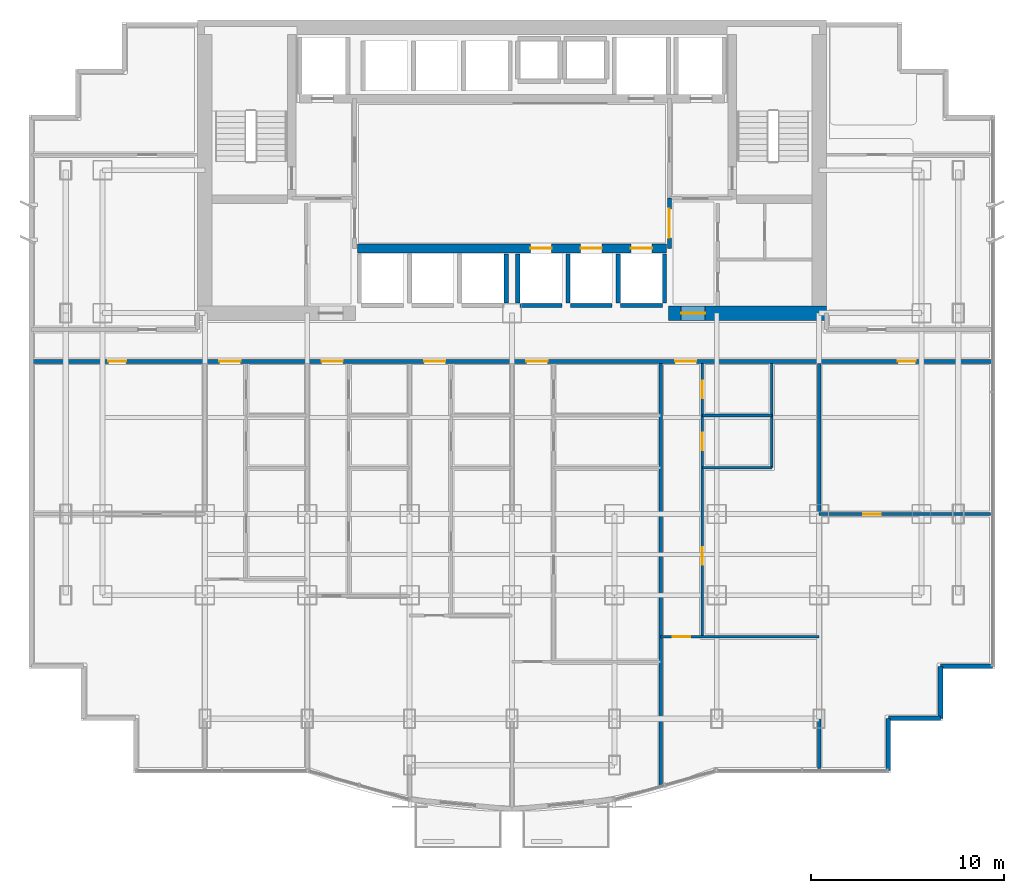
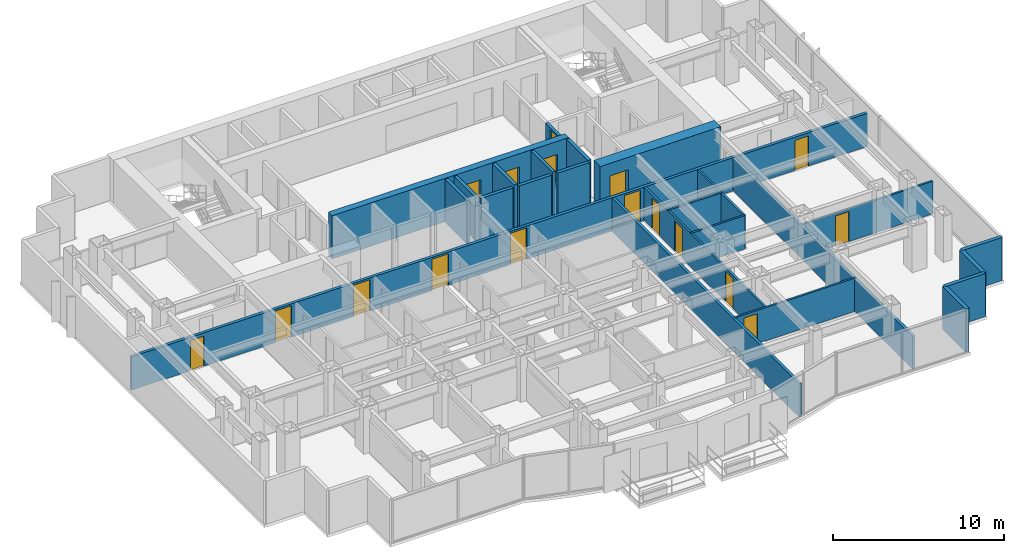
# One storey, part 8 of 12: 24 walls, 17 doors, 17 openings.
"""IFC4 building model written with IfcOpenShell, lengths in metres."""

from ifc_helpers import new_model, si_unit, direction, frame, frame_2d, origin, place, context, subcontext, project, spatial, rectangle, extrude, material, layer, layer_set, type_object, element, fill, save


model = new_model("IFC4")

# Units and contexts
model_context = context("Model", 3, precision=1e-05, world=origin(), true_north=direction((0.0, 1.0)))
body_context = subcontext(model_context, "Body", "Model", "MODEL_VIEW")
ifc_project = project(units=[si_unit("LENGTHUNIT", "METRE"), si_unit("AREAUNIT", "SQUARE_METRE"), si_unit("VOLUMEUNIT", "CUBIC_METRE"), si_unit("PLANEANGLEUNIT", "RADIAN"), si_unit("MASSUNIT", "GRAM", prefix="KILO")], contexts=[model_context])

# Site, building, storey
site_placement = place(None, origin())
site = spatial("IfcSite", under=ifc_project, at=site_placement, CompositionType="ELEMENT")
building_placement = place(site_placement, origin())
building = spatial("IfcBuilding", under=site, at=building_placement, Name="Qianlan Lanfeng Residences", CompositionType="ELEMENT")
storey_placement = place(building_placement, frame((0.0, 0.0, 81.699951171875)))
storey = spatial("IfcBuildingStorey", under=building, at=storey_placement, Name="L21", CompositionType="ELEMENT", Elevation=81.699951171875)

# Wall, openings, doors
ifc_material_1 = material(Name="Concrete C60", Category="concrete")
ifc_layer_1 = layer(ifc_material_1, 0.449951171875)
ifc_layer_set_1 = layer_set([ifc_layer_1], Name="Concrete C60")
wall_type_1 = type_object("IfcWallType", Name="CW-RC-450", PredefinedType="SHEAR", material=ifc_layer_set_1)
wall_1_placement = place(storey_placement, frame((18.5, 28.550048828125, 0.0), z_axis=(0.0, 0.0, 1.0), x_axis=(1.0, 0.0, 0.0)))
wall_1 = element("IfcWall", 1, at=wall_1_placement, inside=storey, type_object=wall_type_1, Name="L21 Core Shear Wall LBS", PredefinedType="SHEAR", context=body_context, shape_type="SweptSolid", body=[
    extrude(rectangle(XDim=16.0, YDim=0.449951171875, at=frame_2d((8.0, 0.0))), origin(), (0.0, 0.0, 1.0), 3.090087890625),
])
opening_1_placement = place(wall_1_placement, frame((8.949951171875, 0.0, 0.0)))
opening_1 = element("IfcOpeningElement", 2, at=opening_1_placement, cuts=wall_1, Name="Opening L21-LD-PL-M1", PredefinedType="OPENING", context=body_context, shape_type="SweptSolid", body=[
    extrude(rectangle(XDim=1.10009765625, YDim=2.14990234375, at=frame_2d((0.550048828125, 1.074951171875))), frame((0.0, 0.23486328125, 0.0), z_axis=(0.0, -1.0, 0.0), x_axis=(1.0, 0.0, 0.0)), (0.0, 0.0, 1.0), 0.469970703125),
])
opening_2_placement = place(wall_1_placement, frame((11.550048828125, 0.0, 0.0)))
opening_2 = element("IfcOpeningElement", 3, at=opening_2_placement, cuts=wall_1, Name="Opening L21-LD-PL-M2", PredefinedType="OPENING", context=body_context, shape_type="SweptSolid", body=[
    extrude(rectangle(XDim=1.10009765625, YDim=2.14990234375, at=frame_2d((0.550048828125, 1.074951171875))), frame((0.0, 0.23486328125, 0.0), z_axis=(0.0, -1.0, 0.0), x_axis=(1.0, 0.0, 0.0)), (0.0, 0.0, 1.0), 0.469970703125),
])
opening_3_placement = place(wall_1_placement, frame((14.14990234375, 0.0, 0.0)))
opening_3 = element("IfcOpeningElement", 4, at=opening_3_placement, cuts=wall_1, Name="Opening L21-LD-PL-M3", PredefinedType="OPENING", context=body_context, shape_type="SweptSolid", body=[
    extrude(rectangle(XDim=1.10009765625, YDim=2.14990234375, at=frame_2d((0.550048828125, 1.074951171875))), frame((0.0, 0.23486328125, 0.0), z_axis=(0.0, -1.0, 0.0), x_axis=(1.0, 0.0, 0.0)), (0.0, 0.0, 1.0), 0.469970703125),
])
ifc_material_2 = material(Name="Brushed Stainless Steel Sliding Lift Door", Category="steel")
door_type_1 = type_object("IfcDoorType", Name="LD-01", OperationType="NOTDEFINED", PredefinedType="DOOR", material=ifc_material_2)
door_1_placement = place(opening_1_placement, origin())
door_1 = element("IfcDoor", 5, at=door_1_placement, inside=storey, type_object=door_type_1, Name="L21 Elevator PL-M1 Sliding Landing Door", OperationType="DOUBLE_DOOR_SLIDING", OverallHeight=2.14990234375, OverallWidth=1.10009765625, PredefinedType="DOOR", context=body_context, shape_type="SweptSolid", body=[
    extrude(rectangle(XDim=1.10009765625, YDim=2.14990234375, at=frame_2d((0.550048828125, 1.074951171875))), frame((0.0, 0.02490234375, 0.0), z_axis=(0.0, -1.0, 0.0), x_axis=(1.0, 0.0, 0.0)), (0.0, 0.0, 1.0), 0.050048828125),
])
fill(opening_1, door_1)
door_2_placement = place(opening_2_placement, origin())
door_2 = element("IfcDoor", 6, at=door_2_placement, inside=storey, type_object=door_type_1, Name="L21 Elevator PL-M2 Sliding Landing Door", OperationType="DOUBLE_DOOR_SLIDING", OverallHeight=2.14990234375, OverallWidth=1.10009765625, PredefinedType="DOOR", context=body_context, shape_type="SweptSolid", body=[
    extrude(rectangle(XDim=1.10009765625, YDim=2.14990234375, at=frame_2d((0.550048828125, 1.074951171875))), frame((0.0, 0.02490234375, 0.0), z_axis=(0.0, -1.0, 0.0), x_axis=(1.0, 0.0, 0.0)), (0.0, 0.0, 1.0), 0.050048828125),
])
fill(opening_2, door_2)
door_3_placement = place(opening_3_placement, origin())
door_3 = element("IfcDoor", 7, at=door_3_placement, inside=storey, type_object=door_type_1, Name="L21 Elevator PL-M3 Sliding Landing Door", OperationType="DOUBLE_DOOR_SLIDING", OverallHeight=2.14990234375, OverallWidth=1.10009765625, PredefinedType="DOOR", context=body_context, shape_type="SweptSolid", body=[
    extrude(rectangle(XDim=1.10009765625, YDim=2.14990234375, at=frame_2d((0.550048828125, 1.074951171875))), frame((0.0, 0.02490234375, 0.0), z_axis=(0.0, -1.0, 0.0), x_axis=(1.0, 0.0, 0.0)), (0.0, 0.0, 1.0), 0.050048828125),
])
fill(opening_3, door_3)

# Wall, opening, door
ifc_layer_2 = layer(ifc_material_1, 0.75)
ifc_layer_set_2 = layer_set([ifc_layer_2], Name="Concrete C60")
wall_type_2 = type_object("IfcWallType", Name="CW-RC-750", PredefinedType="SHEAR", material=ifc_layer_set_2)
wall_2_placement = place(storey_placement, frame((34.60009765625, 25.199951171875, 0.0), z_axis=(0.0, 0.0, 1.0), x_axis=(1.0, 0.0, 0.0)))
wall_2 = element("IfcWall", 8, at=wall_2_placement, inside=storey, type_object=wall_type_2, Name="L21 Core Shear Wall SE", PredefinedType="SHEAR", context=body_context, shape_type="SweptSolid", body=[
    extrude(rectangle(XDim=8.1748046875, YDim=0.75, at=frame_2d((4.08740234375, 0.0))), origin(), (0.0, 0.0, 1.0), 3.090087890625),
])
opening_4_placement = place(wall_2_placement, frame((0.64990234375, 0.0, 0.0)))
opening_4 = element("IfcOpeningElement", 9, at=opening_4_placement, cuts=wall_2, Name="Opening L21-D02", PredefinedType="OPENING", context=body_context, shape_type="SweptSolid", body=[
    extrude(rectangle(XDim=1.25, YDim=2.199951171875, at=frame_2d((0.625, 1.10009765625))), frame((0.0, 0.385009765625, 0.0), z_axis=(0.0, -1.0, 0.0), x_axis=(1.0, 0.0, 0.0)), (0.0, 0.0, 1.0), 0.77001953125),
])
ifc_material_3 = material(Name="Painted Galvanised Steel Fire Door", Category="steel")
door_type_2 = type_object("IfcDoorType", Name="DT-FFL", OperationType="NOTDEFINED", PredefinedType="DOOR", material=ifc_material_3)
door_4_placement = place(opening_4_placement, frame((1.25, 0.0, 0.0), z_axis=(0.0, 0.0, 1.0), x_axis=(-1.0, 0.0, 0.0)))
door_4 = element("IfcDoor", 10, at=door_4_placement, inside=storey, type_object=door_type_2, Name="L21 East Core Lobby Smoke Door L21-D02 (DT-FFL)", OperationType="SINGLE_SWING_LEFT", OverallHeight=2.199951171875, OverallWidth=1.25, PredefinedType="DOOR", context=body_context, shape_type="SweptSolid", body=[
    extrude(rectangle(XDim=1.25, YDim=2.199951171875, at=frame_2d((0.625, 1.10009765625))), frame((0.0, 0.02490234375, 0.0), z_axis=(0.0, -1.0, 0.0), x_axis=(1.0, 0.0, 0.0)), (0.0, 0.0, 1.0), 0.050048828125),
])
fill(opening_4, door_4)

# Walls
ifc_material_4 = material(Name="Concrete C42", Category="concrete")
ifc_layer_3 = layer(ifc_material_4, 0.239990234375)
ifc_layer_set_3 = layer_set([ifc_layer_3], Name="Concrete C42")
wall_type_3 = type_object("IfcWallType", Name="EW-240", PredefinedType="SOLIDWALL", material=ifc_layer_set_3)
for number, where, z_axis, x_axis, name in (
    (11, (45.97998046875, 1.52001953125, 0.0), (0.0, 0.0, 1.0), (0.0, 1.0, 0.0), "L21 Exterior Facade Spandrel Wall 7"),
    (12, (45.97998046875, 4.219970703125, 0.0), (0.0, 0.0, 1.0), (1.0, 0.0, 0.0), "L21 Exterior Facade Spandrel Wall 8"),
    (13, (48.679931640625, 4.219970703125, 0.0), (0.0, 0.0, 1.0), (0.0, 1.0, 0.0), "L21 Exterior Facade Spandrel Wall 9"),
    (14, (48.679931640625, 6.919921875, 0.0), (0.0, 0.0, 1.0), (1.0, 0.0, 0.0), "L21 Exterior Facade Spandrel Wall 10"),
):
    element("IfcWall", number, at=place(storey_placement, frame(where, z_axis=z_axis, x_axis=x_axis)), inside=storey, type_object=wall_type_3, Name=name, PredefinedType="SOLIDWALL", context=body_context, shape_type="SweptSolid", body=[
        extrude(rectangle(XDim=2.699951171875, YDim=0.239990234375, at=frame_2d((1.35009765625, 0.0))), origin(), (0.0, 0.0, 1.0), 3.090087890625),
    ])

# Wall, opening, door
ifc_material_5 = material(Name="Moisture-Resistant Gypsum Partition 135 mm")
ifc_layer_4 = layer(ifc_material_5, 0.135009765625)
ifc_layer_set_4 = layer_set([ifc_layer_4], Name="Moisture-Resistant Gypsum Partition 135 mm")
wall_type_4 = type_object("IfcWallType", Name="PW-135", PredefinedType="PARTITIONING", material=ifc_layer_set_4)
wall_3_placement = place(storey_placement, frame((34.199951171875, 8.448974609375, 0.0), z_axis=(0.0, 0.0, 1.0), x_axis=(1.0, 0.0, 0.0)))
wall_3 = element("IfcWall", 15, at=wall_3_placement, inside=storey, type_object=wall_type_4, Name="L21 U05 Living Divider", PredefinedType="PARTITIONING", context=body_context, shape_type="SweptSolid", body=[
    extrude(rectangle(XDim=8.199951171875, YDim=0.135009765625, at=frame_2d((4.10009765625, 0.0))), origin(), (0.0, 0.0, 1.0), 2.380126953125),
])
opening_5_placement = place(wall_3_placement, frame((0.614990234375, 0.0, 0.0)))
opening_5 = element("IfcOpeningElement", 16, at=opening_5_placement, cuts=wall_3, Name="Opening L21-D36", PredefinedType="OPENING", context=body_context, shape_type="SweptSolid", body=[
    extrude(rectangle(XDim=0.919921875, YDim=2.14990234375, at=frame_2d((0.4599609375, 1.074951171875))), frame((0.0, 0.07763671875, 0.0), z_axis=(0.0, -1.0, 0.0), x_axis=(1.0, 0.0, 0.0)), (0.0, 0.0, 1.0), 0.155029296875),
])
ifc_material_6 = material(Name="Glazed Timber Kitchen/Study Door", Category="wood")
door_type_3 = type_object("IfcDoorType", Name="DT-INT", OperationType="NOTDEFINED", PredefinedType="DOOR", material=ifc_material_6)
door_5_placement = place(opening_5_placement, frame((0.919921875, 0.0, 0.0), z_axis=(0.0, 0.0, 1.0), x_axis=(-1.0, 0.0, 0.0)))
door_5 = element("IfcDoor", 17, at=door_5_placement, inside=storey, type_object=door_type_3, Name="L21 U05 Living Passage Door L21-D36 (DT-INT)", OperationType="SINGLE_SWING_RIGHT", OverallHeight=2.14990234375, OverallWidth=0.919921875, PredefinedType="DOOR", context=body_context, shape_type="SweptSolid", body=[
    extrude(rectangle(XDim=0.919921875, YDim=2.14990234375, at=frame_2d((0.4599609375, 1.074951171875))), frame((0.0, 0.02490234375, 0.0), z_axis=(0.0, -1.0, 0.0), x_axis=(1.0, 0.0, 0.0)), (0.0, 0.0, 1.0), 0.050048828125),
])
fill(opening_5, door_5)

# Wall, openings, doors
wall_4_placement = place(storey_placement, frame((36.35009765625, 8.448974609375, 0.0), z_axis=(0.0, 0.0, 1.0), x_axis=(0.0, 1.0, 0.0)))
wall_4 = element("IfcWall", 18, at=wall_4_placement, inside=storey, type_object=wall_type_4, Name="L21 U05 Entry Hall Spine", PredefinedType="PARTITIONING", context=body_context, shape_type="SweptSolid", body=[
    extrude(rectangle(XDim=14.151123046875, YDim=0.135009765625, at=frame_2d((7.07568359375, 0.0))), origin(), (0.0, 0.0, 1.0), 2.380126953125),
])
opening_6_placement = place(wall_4_placement, frame((3.715087890625, 0.0, 0.0)))
opening_6 = element("IfcOpeningElement", 19, at=opening_6_placement, cuts=wall_4, Name="Opening L21-D37", PredefinedType="OPENING", context=body_context, shape_type="SweptSolid", body=[
    extrude(rectangle(XDim=0.919921875, YDim=2.14990234375, at=frame_2d((0.4599609375, 1.074951171875))), frame((0.0, 0.07763671875, 0.0), z_axis=(0.0, -1.0, 0.0), x_axis=(1.0, 0.0, 0.0)), (0.0, 0.0, 1.0), 0.155029296875),
])
opening_7_placement = place(wall_4_placement, frame((9.64111328125, 0.0, 0.0)))
opening_7 = element("IfcOpeningElement", 20, at=opening_7_placement, cuts=wall_4, Name="Opening L21-D38", PredefinedType="OPENING", context=body_context, shape_type="SweptSolid", body=[
    extrude(rectangle(XDim=0.919921875, YDim=2.14990234375, at=frame_2d((0.4599609375, 1.074951171875))), frame((0.0, 0.07763671875, 0.0), z_axis=(0.0, -1.0, 0.0), x_axis=(1.0, 0.0, 0.0)), (0.0, 0.0, 1.0), 0.155029296875),
])
opening_8_placement = place(wall_4_placement, frame((12.35107421875, 0.0, 0.0)))
opening_8 = element("IfcOpeningElement", 21, at=opening_8_placement, cuts=wall_4, Name="Opening L21-D39", PredefinedType="OPENING", context=body_context, shape_type="SweptSolid", body=[
    extrude(rectangle(XDim=0.89990234375, YDim=2.14990234375, at=frame_2d((0.449951171875, 1.074951171875))), frame((0.0, 0.07763671875, 0.0), z_axis=(0.0, -1.0, 0.0), x_axis=(1.0, 0.0, 0.0)), (0.0, 0.0, 1.0), 0.155029296875),
])
door_6_placement = place(opening_6_placement, origin())
door_6 = element("IfcDoor", 22, at=door_6_placement, inside=storey, type_object=door_type_3, Name="L21 U05 Study Door L21-D37 (DT-INT)", OperationType="SINGLE_SWING_RIGHT", OverallHeight=2.14990234375, OverallWidth=0.919921875, PredefinedType="DOOR", context=body_context, shape_type="SweptSolid", body=[
    extrude(rectangle(XDim=0.919921875, YDim=2.14990234375, at=frame_2d((0.4599609375, 1.074951171875))), frame((0.0, 0.02490234375, 0.0), z_axis=(0.0, -1.0, 0.0), x_axis=(1.0, 0.0, 0.0)), (0.0, 0.0, 1.0), 0.050048828125),
])
fill(opening_6, door_6)
door_7_placement = place(opening_7_placement, origin())
door_7 = element("IfcDoor", 23, at=door_7_placement, inside=storey, type_object=door_type_3, Name="L21 U05 Kitchen Door L21-D38 (DT-INT)", OperationType="SINGLE_SWING_LEFT", OverallHeight=2.14990234375, OverallWidth=0.919921875, PredefinedType="DOOR", context=body_context, shape_type="SweptSolid", body=[
    extrude(rectangle(XDim=0.919921875, YDim=2.14990234375, at=frame_2d((0.4599609375, 1.074951171875))), frame((0.0, 0.02490234375, 0.0), z_axis=(0.0, -1.0, 0.0), x_axis=(1.0, 0.0, 0.0)), (0.0, 0.0, 1.0), 0.050048828125),
])
fill(opening_7, door_7)
ifc_material_7 = material(Name="Moisture-Resistant Timber Leaf", Category="wood")
door_type_4 = type_object("IfcDoorType", Name="DT-WC", OperationType="NOTDEFINED", PredefinedType="DOOR", material=ifc_material_7)
door_8_placement = place(opening_8_placement, origin())
door_8 = element("IfcDoor", 24, at=door_8_placement, inside=storey, type_object=door_type_4, Name="L21 U05 Bathroom Door L21-D39 (DT-WC)", OperationType="SINGLE_SWING_RIGHT", OverallHeight=2.14990234375, OverallWidth=0.89990234375, PredefinedType="DOOR", context=body_context, shape_type="SweptSolid", body=[
    extrude(rectangle(XDim=0.89990234375, YDim=2.14990234375, at=frame_2d((0.449951171875, 1.074951171875))), frame((0.0, 0.02490234375, 0.0), z_axis=(0.0, -1.0, 0.0), x_axis=(1.0, 0.0, 0.0)), (0.0, 0.0, 1.0), 0.050048828125),
])
fill(opening_8, door_8)

# Walls
wall_5_placement = place(storey_placement, frame((36.35009765625, 17.199951171875, 0.0), z_axis=(0.0, 0.0, 1.0), x_axis=(1.0, 0.0, 0.0)))
element("IfcWall", 25, at=wall_5_placement, inside=storey, type_object=wall_type_4, Name="L21 U05 Kitchen South Wall", PredefinedType="PARTITIONING", context=body_context, shape_type="SweptSolid", body=[
    extrude(rectangle(XDim=3.599853515625, YDim=0.135009765625, at=frame_2d((1.7998046875, 0.0))), origin(), (0.0, 0.0, 1.0), 2.380126953125),
])
wall_6_placement = place(storey_placement, frame((39.949951171875, 17.199951171875, 0.0), z_axis=(0.0, 0.0, 1.0), x_axis=(0.0, 1.0, 0.0)))
element("IfcWall", 26, at=wall_6_placement, inside=storey, type_object=wall_type_4, Name="L21 U05 Dining East Wall", PredefinedType="PARTITIONING", context=body_context, shape_type="SweptSolid", body=[
    extrude(rectangle(XDim=5.400146484375, YDim=0.135009765625, at=frame_2d((2.7001953125, 0.0))), origin(), (0.0, 0.0, 1.0), 2.380126953125),
])
wall_7_placement = place(storey_placement, frame((36.35009765625, 19.89990234375, 0.0), z_axis=(0.0, 0.0, 1.0), x_axis=(1.0, 0.0, 0.0)))
element("IfcWall", 27, at=wall_7_placement, inside=storey, type_object=wall_type_4, Name="L21 U05 Bathroom South Wall", PredefinedType="PARTITIONING", context=body_context, shape_type="SweptSolid", body=[
    extrude(rectangle(XDim=3.599853515625, YDim=0.135009765625, at=frame_2d((1.7998046875, 0.0))), origin(), (0.0, 0.0, 1.0), 2.380126953125),
])

# Wall, opening, door
wall_8_placement = place(storey_placement, frame((42.39990234375, 14.800048828125, 0.0), z_axis=(0.0, 0.0, 1.0), x_axis=(1.0, 0.0, 0.0)))
wall_8 = element("IfcWall", 28, at=wall_8_placement, inside=storey, type_object=wall_type_4, Name="L21 SEP Mid Partition", PredefinedType="PARTITIONING", context=body_context, shape_type="SweptSolid", body=[
    extrude(rectangle(XDim=8.880126953125, YDim=0.135009765625, at=frame_2d((4.43994140625, 0.0))), origin(), (0.0, 0.0, 1.0), 2.3349609375),
])
opening_9_placement = place(wall_8_placement, frame((2.280029296875, 0.0, 0.0)))
opening_9 = element("IfcOpeningElement", 29, at=opening_9_placement, cuts=wall_8, Name="Opening L21-D42", PredefinedType="OPENING", context=body_context, shape_type="SweptSolid", body=[
    extrude(rectangle(XDim=0.919921875, YDim=2.14990234375, at=frame_2d((0.4599609375, 1.074951171875))), frame((0.0, 0.07763671875, 0.0), z_axis=(0.0, -1.0, 0.0), x_axis=(1.0, 0.0, 0.0)), (0.0, 0.0, 1.0), 0.155029296875),
])
door_9_placement = place(opening_9_placement, origin())
door_9 = element("IfcDoor", 30, at=door_9_placement, inside=storey, type_object=door_type_3, Name="L21 SEP Inner Door L21-D42 (DT-INT)", OperationType="SINGLE_SWING_LEFT", OverallHeight=2.14990234375, OverallWidth=0.919921875, PredefinedType="DOOR", context=body_context, shape_type="SweptSolid", body=[
    extrude(rectangle(XDim=0.919921875, YDim=2.14990234375, at=frame_2d((0.4599609375, 1.074951171875))), frame((0.0, 0.02490234375, 0.0), z_axis=(0.0, -1.0, 0.0), x_axis=(1.0, 0.0, 0.0)), (0.0, 0.0, 1.0), 0.050048828125),
])
fill(opening_9, door_9)

# Walls
ifc_material_8 = material(Name="Double-Layer Acoustic Gypsum Stud Wall 180 mm")
ifc_layer_5 = layer(ifc_material_8, 0.179931640625)
ifc_layer_set_5 = layer_set([ifc_layer_5], Name="Double-Layer Acoustic Gypsum Stud Wall 180 mm")
wall_type_5 = type_object("IfcWallType", Name="PW-180", PredefinedType="PARTITIONING", material=ifc_layer_set_5)
wall_9_placement = place(storey_placement, frame((42.39990234375, 1.6201171875, 0.0), z_axis=(0.0, 0.0, 1.0), x_axis=(0.0, 1.0, 0.0)))
element("IfcWall", 31, at=wall_9_placement, inside=storey, type_object=wall_type_5, Name="L21 Wing Boundary Party Wall E0", PredefinedType="PARTITIONING", context=body_context, shape_type="SweptSolid", body=[
    extrude(rectangle(XDim=20.97998046875, YDim=0.179931640625, at=frame_2d((10.489990234375, 0.0))), origin(), (0.0, 0.0, 1.0), 2.3349609375),
])
wall_10_placement = place(storey_placement, frame((34.199951171875, 0.69091796875, 0.0), z_axis=(0.0, 0.0, 1.0), x_axis=(0.0, 1.0, 0.0)))
element("IfcWall", 32, at=wall_10_placement, inside=storey, type_object=wall_type_5, Name="L21 Inter-Tenancy Party Wall 5", PredefinedType="PARTITIONING", context=body_context, shape_type="SweptSolid", body=[
    extrude(rectangle(XDim=21.9091796875, YDim=0.179931640625, at=frame_2d((10.95458984375, 0.0))), origin(), (0.0, 0.0, 1.0), 2.380126953125),
])

# Wall, opening, door
ifc_material_9 = material(Name="Autoclaved Aerated Concrete Blockwork 200 mm", Category="masonry")
ifc_layer_6 = layer(ifc_material_9, 0.199951171875)
ifc_layer_set_6 = layer_set([ifc_layer_6], Name="Autoclaved Aerated Concrete Blockwork 200 mm")
wall_type_6 = type_object("IfcWallType", Name="PW-200", PredefinedType="PARTITIONING", material=ifc_layer_set_6)
wall_11_placement = place(storey_placement, frame((34.64990234375, 28.550048828125, 0.0), z_axis=(0.0, 0.0, 1.0), x_axis=(0.0, 1.0, 0.0)))
wall_11 = element("IfcWall", 33, at=wall_11_placement, inside=storey, type_object=wall_type_6, Name="L21 Lift Lobby East Connector Wall", PredefinedType="PARTITIONING", context=body_context, shape_type="SweptSolid", body=[
    extrude(rectangle(XDim=2.599853515625, YDim=0.199951171875, at=frame_2d((1.2998046875, 0.0))), origin(), (0.0, 0.0, 1.0), 2.380126953125),
])
opening_10_placement = place(wall_11_placement, frame((0.550048828125, 0.0, 0.0)))
opening_10 = element("IfcOpeningElement", 34, at=opening_10_placement, cuts=wall_11, Name="Opening L21-D14", PredefinedType="OPENING", context=body_context, shape_type="SweptSolid", body=[
    extrude(rectangle(XDim=1.5, YDim=2.25, at=frame_2d((0.75, 1.125))), frame((0.0, 0.10986328125, 0.0), z_axis=(0.0, -1.0, 0.0), x_axis=(1.0, 0.0, 0.0)), (0.0, 0.0, 1.0), 0.219970703125),
])
ifc_material_10 = material(Name="Timber Veneer Acoustic Fire Door", Category="wood")
door_type_5 = type_object("IfcDoorType", Name="DT-COR1", OperationType="NOTDEFINED", PredefinedType="DOOR", material=ifc_material_10)
door_10_placement = place(opening_10_placement, frame((1.5, 0.0, 0.0), z_axis=(0.0, 0.0, 1.0), x_axis=(-1.0, 0.0, 0.0)))
door_10 = element("IfcDoor", 35, at=door_10_placement, inside=storey, type_object=door_type_5, Name="L21 Lift Lobby East Portal Door L21-D14 (DT-COR1)", OperationType="DOUBLE_DOOR_SINGLE_SWING", OverallHeight=2.25, OverallWidth=1.5, PredefinedType="DOOR", context=body_context, shape_type="SweptSolid", body=[
    extrude(rectangle(XDim=1.5, YDim=2.25, at=frame_2d((0.75, 1.125))), frame((0.0, 0.02490234375, 0.0), z_axis=(0.0, -1.0, 0.0), x_axis=(1.0, 0.0, 0.0)), (0.0, 0.0, 1.0), 0.050048828125),
])
fill(opening_10, door_10)

# Wall, openings, doors
wall_12_placement = place(storey_placement, frame((1.6201171875, 22.699951171875, 0.0), z_axis=(0.0, 0.0, 1.0), x_axis=(1.0, 0.0, 0.0)))
wall_12 = element("IfcWall", 36, at=wall_12_placement, inside=storey, type_object=wall_type_6, Name="L21 Residential Corridor South Fire Wall", PredefinedType="PARTITIONING", context=body_context, shape_type="SweptSolid", body=[
    extrude(rectangle(XDim=49.759765625, YDim=0.199951171875, at=frame_2d((24.8798828125, 0.0))), origin(), (0.0, 0.0, 1.0), 2.380126953125),
])
opening_11_placement = place(wall_12_placement, frame((9.72998046875, 0.0, 0.0)))
opening_11 = element("IfcOpeningElement", 37, at=opening_11_placement, cuts=wall_12, Name="Opening L21-D15", PredefinedType="OPENING", context=body_context, shape_type="SweptSolid", body=[
    extrude(rectangle(XDim=1.10009765625, YDim=2.25, at=frame_2d((0.550048828125, 1.125))), frame((0.0, 0.10986328125, 0.0), z_axis=(0.0, -1.0, 0.0), x_axis=(1.0, 0.0, 0.0)), (0.0, 0.0, 1.0), 0.219970703125),
])
opening_12_placement = place(wall_12_placement, frame((15.030029296875, 0.0, 0.0)))
opening_12 = element("IfcOpeningElement", 38, at=opening_12_placement, cuts=wall_12, Name="Opening L21-D20", PredefinedType="OPENING", context=body_context, shape_type="SweptSolid", body=[
    extrude(rectangle(XDim=1.10009765625, YDim=2.25, at=frame_2d((0.550048828125, 1.125))), frame((0.0, 0.10986328125, 0.0), z_axis=(0.0, -1.0, 0.0), x_axis=(1.0, 0.0, 0.0)), (0.0, 0.0, 1.0), 0.219970703125),
])
opening_13_placement = place(wall_12_placement, frame((20.330078125, 0.0, 0.0)))
opening_13 = element("IfcOpeningElement", 39, at=opening_13_placement, cuts=wall_12, Name="Opening L21-D25", PredefinedType="OPENING", context=body_context, shape_type="SweptSolid", body=[
    extrude(rectangle(XDim=1.10009765625, YDim=2.25, at=frame_2d((0.550048828125, 1.125))), frame((0.0, 0.10986328125, 0.0), z_axis=(0.0, -1.0, 0.0), x_axis=(1.0, 0.0, 0.0)), (0.0, 0.0, 1.0), 0.219970703125),
])
opening_14_placement = place(wall_12_placement, frame((25.6298828125, 0.0, 0.0)))
opening_14 = element("IfcOpeningElement", 40, at=opening_14_placement, cuts=wall_12, Name="Opening L21-D30", PredefinedType="OPENING", context=body_context, shape_type="SweptSolid", body=[
    extrude(rectangle(XDim=1.10009765625, YDim=2.25, at=frame_2d((0.550048828125, 1.125))), frame((0.0, 0.10986328125, 0.0), z_axis=(0.0, -1.0, 0.0), x_axis=(1.0, 0.0, 0.0)), (0.0, 0.0, 1.0), 0.219970703125),
])
opening_15_placement = place(wall_12_placement, frame((33.330078125, 0.0, 0.0)))
opening_15 = element("IfcOpeningElement", 41, at=opening_15_placement, cuts=wall_12, Name="Opening L21-D35", PredefinedType="OPENING", context=body_context, shape_type="SweptSolid", body=[
    extrude(rectangle(XDim=1.10009765625, YDim=2.25, at=frame_2d((0.550048828125, 1.125))), frame((0.0, 0.10986328125, 0.0), z_axis=(0.0, -1.0, 0.0), x_axis=(1.0, 0.0, 0.0)), (0.0, 0.0, 1.0), 0.219970703125),
])
opening_16_placement = place(wall_12_placement, frame((3.985107421875, 0.0, 0.0)))
opening_16 = element("IfcOpeningElement", 42, at=opening_16_placement, cuts=wall_12, Name="Opening L21-D41", PredefinedType="OPENING", context=body_context, shape_type="SweptSolid", body=[
    extrude(rectangle(XDim=0.919921875, YDim=2.14990234375, at=frame_2d((0.4599609375, 1.074951171875))), frame((0.0, 0.10986328125, 0.0), z_axis=(0.0, -1.0, 0.0), x_axis=(1.0, 0.0, 0.0)), (0.0, 0.0, 1.0), 0.219970703125),
])
opening_17_placement = place(wall_12_placement, frame((44.85498046875, 0.0, 0.0)))
opening_17 = element("IfcOpeningElement", 43, at=opening_17_placement, cuts=wall_12, Name="Opening L21-D43", PredefinedType="OPENING", context=body_context, shape_type="SweptSolid", body=[
    extrude(rectangle(XDim=0.919921875, YDim=2.14990234375, at=frame_2d((0.4599609375, 1.074951171875))), frame((0.0, 0.10986328125, 0.0), z_axis=(0.0, -1.0, 0.0), x_axis=(1.0, 0.0, 0.0)), (0.0, 0.0, 1.0), 0.219970703125),
])
door_11_placement = place(opening_16_placement, origin())
door_11 = element("IfcDoor", 44, at=door_11_placement, inside=storey, type_object=door_type_3, Name="L21 SWP Corridor Door L21-D41 (DT-INT)", OperationType="SINGLE_SWING_RIGHT", OverallHeight=2.14990234375, OverallWidth=0.919921875, PredefinedType="DOOR", context=body_context, shape_type="SweptSolid", body=[
    extrude(rectangle(XDim=0.919921875, YDim=2.14990234375, at=frame_2d((0.4599609375, 1.074951171875))), frame((0.0, 0.02490234375, 0.0), z_axis=(0.0, -1.0, 0.0), x_axis=(1.0, 0.0, 0.0)), (0.0, 0.0, 1.0), 0.050048828125),
])
fill(opening_16, door_11)
door_12_placement = place(opening_17_placement, origin())
door_12 = element("IfcDoor", 45, at=door_12_placement, inside=storey, type_object=door_type_3, Name="L21 SEP Corridor Door L21-D43 (DT-INT)", OperationType="SINGLE_SWING_RIGHT", OverallHeight=2.14990234375, OverallWidth=0.919921875, PredefinedType="DOOR", context=body_context, shape_type="SweptSolid", body=[
    extrude(rectangle(XDim=0.919921875, YDim=2.14990234375, at=frame_2d((0.4599609375, 1.074951171875))), frame((0.0, 0.02490234375, 0.0), z_axis=(0.0, -1.0, 0.0), x_axis=(1.0, 0.0, 0.0)), (0.0, 0.0, 1.0), 0.050048828125),
])
fill(opening_17, door_12)
ifc_material_11 = material(Name="Solid-Core Oak Veneer Fire Door")
door_type_6 = type_object("IfcDoorType", Name="DT-UNIT", OperationType="NOTDEFINED", PredefinedType="DOOR", material=ifc_material_11)
door_13_placement = place(opening_11_placement, origin())
door_13 = element("IfcDoor", 46, at=door_13_placement, inside=storey, type_object=door_type_6, Name="L21 Apartment U01 Entrance Door L21-D15 (DT-UNIT)", OperationType="SINGLE_SWING_RIGHT", OverallHeight=2.25, OverallWidth=1.10009765625, PredefinedType="DOOR", context=body_context, shape_type="SweptSolid", body=[
    extrude(rectangle(XDim=1.10009765625, YDim=2.25, at=frame_2d((0.550048828125, 1.125))), frame((0.0, 0.02490234375, 0.0), z_axis=(0.0, -1.0, 0.0), x_axis=(1.0, 0.0, 0.0)), (0.0, 0.0, 1.0), 0.050048828125),
])
fill(opening_11, door_13)
door_14_placement = place(opening_12_placement, frame((1.10009765625, 0.0, 0.0), z_axis=(0.0, 0.0, 1.0), x_axis=(-1.0, 0.0, 0.0)))
door_14 = element("IfcDoor", 47, at=door_14_placement, inside=storey, type_object=door_type_6, Name="L21 Apartment U02 Entrance Door L21-D20 (DT-UNIT)", OperationType="SINGLE_SWING_RIGHT", OverallHeight=2.25, OverallWidth=1.10009765625, PredefinedType="DOOR", context=body_context, shape_type="SweptSolid", body=[
    extrude(rectangle(XDim=1.10009765625, YDim=2.25, at=frame_2d((0.550048828125, 1.125))), frame((0.0, 0.02490234375, 0.0), z_axis=(0.0, -1.0, 0.0), x_axis=(1.0, 0.0, 0.0)), (0.0, 0.0, 1.0), 0.050048828125),
])
fill(opening_12, door_14)
door_15_placement = place(opening_13_placement, origin())
door_15 = element("IfcDoor", 48, at=door_15_placement, inside=storey, type_object=door_type_6, Name="L21 Apartment U03 Entrance Door L21-D25 (DT-UNIT)", OperationType="SINGLE_SWING_RIGHT", OverallHeight=2.25, OverallWidth=1.10009765625, PredefinedType="DOOR", context=body_context, shape_type="SweptSolid", body=[
    extrude(rectangle(XDim=1.10009765625, YDim=2.25, at=frame_2d((0.550048828125, 1.125))), frame((0.0, 0.02490234375, 0.0), z_axis=(0.0, -1.0, 0.0), x_axis=(1.0, 0.0, 0.0)), (0.0, 0.0, 1.0), 0.050048828125),
])
fill(opening_13, door_15)
door_16_placement = place(opening_14_placement, origin())
door_16 = element("IfcDoor", 49, at=door_16_placement, inside=storey, type_object=door_type_6, Name="L21 Apartment U04 Entrance Door L21-D30 (DT-UNIT)", OperationType="SINGLE_SWING_RIGHT", OverallHeight=2.25, OverallWidth=1.10009765625, PredefinedType="DOOR", context=body_context, shape_type="SweptSolid", body=[
    extrude(rectangle(XDim=1.10009765625, YDim=2.25, at=frame_2d((0.550048828125, 1.125))), frame((0.0, 0.02490234375, 0.0), z_axis=(0.0, -1.0, 0.0), x_axis=(1.0, 0.0, 0.0)), (0.0, 0.0, 1.0), 0.050048828125),
])
fill(opening_14, door_16)
door_17_placement = place(opening_15_placement, origin())
door_17 = element("IfcDoor", 50, at=door_17_placement, inside=storey, type_object=door_type_6, Name="L21 Apartment U05 Entrance Door L21-D35 (DT-UNIT)", OperationType="SINGLE_SWING_RIGHT", OverallHeight=2.25, OverallWidth=1.10009765625, PredefinedType="DOOR", context=body_context, shape_type="SweptSolid", body=[
    extrude(rectangle(XDim=1.10009765625, YDim=2.25, at=frame_2d((0.550048828125, 1.125))), frame((0.0, 0.02490234375, 0.0), z_axis=(0.0, -1.0, 0.0), x_axis=(1.0, 0.0, 0.0)), (0.0, 0.0, 1.0), 0.050048828125),
])
fill(opening_15, door_17)

# Walls
ifc_material_12 = material(Name="Concrete C49", Category="concrete")
ifc_layer_7 = layer(ifc_material_12, 0.219970703125)
ifc_layer_set_7 = layer_set([ifc_layer_7], Name="Concrete C49")
wall_type_7 = type_object("IfcWallType", Name="SHW-220", PredefinedType="SOLIDWALL", material=ifc_layer_set_7)
for number, where, z_axis, x_axis, name in (
    (51, (26.199951171875, 25.719970703125, 0.0), (0.0, 0.0, 1.0), (0.0, 1.0, 0.0), "L21 Lift PL-L3 Shaft Wall E"),
    (52, (26.800048828125, 25.719970703125, 0.0), (0.0, 0.0, 1.0), (0.0, 1.0, 0.0), "L21 Lift PL-M1 Shaft Wall W"),
):
    element("IfcWall", number, at=place(storey_placement, frame(where, z_axis=z_axis, x_axis=x_axis)), inside=storey, type_object=wall_type_7, Name=name, PredefinedType="SOLIDWALL", context=body_context, shape_type="SweptSolid", body=[
        extrude(rectangle(XDim=2.530029296875, YDim=0.219970703125, at=frame_2d((1.26513671875, 0.0))), origin(), (0.0, 0.0, 1.0), 3.090087890625),
    ])
wall_13_placement = place(storey_placement, frame((26.919921875, 25.60009765625, 0.0), z_axis=(0.0, 0.0, 1.0), x_axis=(1.0, 0.0, 0.0)))
element("IfcWall", 53, at=wall_13_placement, inside=storey, type_object=wall_type_7, Name="L21 Lift PL-M1 Shaft Back Wall S", PredefinedType="SOLIDWALL", context=body_context, shape_type="SweptSolid", body=[
    extrude(rectangle(XDim=2.16015625, YDim=0.219970703125, at=frame_2d((1.080078125, 0.0))), origin(), (0.0, 0.0, 1.0), 3.090087890625),
])
wall_14_placement = place(storey_placement, frame((29.39990234375, 25.719970703125, 0.0), z_axis=(0.0, 0.0, 1.0), x_axis=(0.0, 1.0, 0.0)))
element("IfcWall", 54, at=wall_14_placement, inside=storey, type_object=wall_type_7, Name="L21 Lift PL-M2 Shaft Wall W", PredefinedType="SOLIDWALL", context=body_context, shape_type="SweptSolid", body=[
    extrude(rectangle(XDim=2.530029296875, YDim=0.219970703125, at=frame_2d((1.26513671875, 0.0))), origin(), (0.0, 0.0, 1.0), 3.090087890625),
])
wall_15_placement = place(storey_placement, frame((29.52001953125, 25.60009765625, 0.0), z_axis=(0.0, 0.0, 1.0), x_axis=(1.0, 0.0, 0.0)))
element("IfcWall", 55, at=wall_15_placement, inside=storey, type_object=wall_type_7, Name="L21 Lift PL-M2 Shaft Back Wall S", PredefinedType="SOLIDWALL", context=body_context, shape_type="SweptSolid", body=[
    extrude(rectangle(XDim=2.159912109375, YDim=0.219970703125, at=frame_2d((1.080078125, 0.0))), origin(), (0.0, 0.0, 1.0), 3.090087890625),
])
for number, where, z_axis, x_axis, name in (
    (56, (32.0, 25.719970703125, 0.0), (0.0, 0.0, 1.0), (0.0, 1.0, 0.0), "L21 Lift PL-M3 Shaft Wall W"),
    (57, (34.39990234375, 25.719970703125, 0.0), (0.0, 0.0, 1.0), (0.0, 1.0, 0.0), "L21 Lift PL-M3 Shaft Wall E"),
):
    element("IfcWall", number, at=place(storey_placement, frame(where, z_axis=z_axis, x_axis=x_axis)), inside=storey, type_object=wall_type_7, Name=name, PredefinedType="SOLIDWALL", context=body_context, shape_type="SweptSolid", body=[
        extrude(rectangle(XDim=2.530029296875, YDim=0.219970703125, at=frame_2d((1.26513671875, 0.0))), origin(), (0.0, 0.0, 1.0), 3.090087890625),
    ])
wall_16_placement = place(storey_placement, frame((32.1201171875, 25.60009765625, 0.0), z_axis=(0.0, 0.0, 1.0), x_axis=(1.0, 0.0, 0.0)))
element("IfcWall", 58, at=wall_16_placement, inside=storey, type_object=wall_type_7, Name="L21 Lift PL-M3 Shaft Back Wall S", PredefinedType="SOLIDWALL", context=body_context, shape_type="SweptSolid", body=[
    extrude(rectangle(XDim=2.159912109375, YDim=0.219970703125, at=frame_2d((1.080078125, 0.0))), origin(), (0.0, 0.0, 1.0), 3.090087890625),
])

save(model, "model.ifc")
